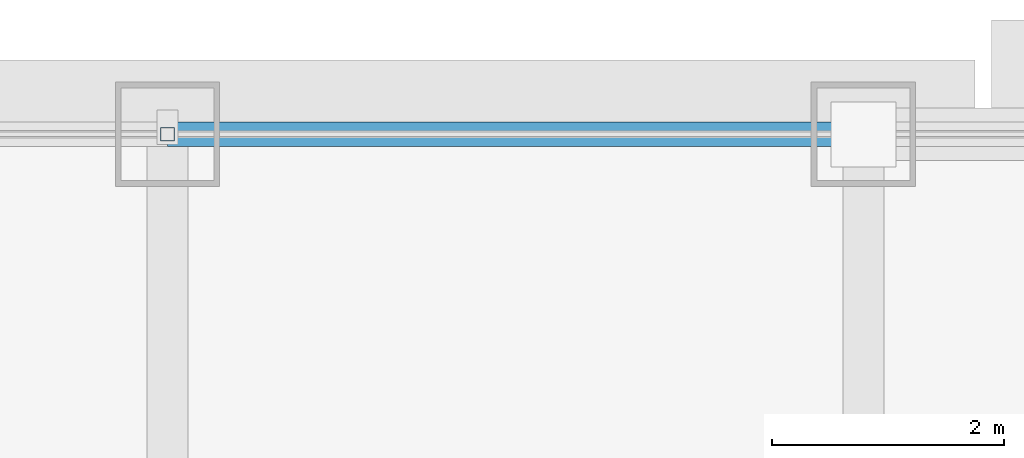
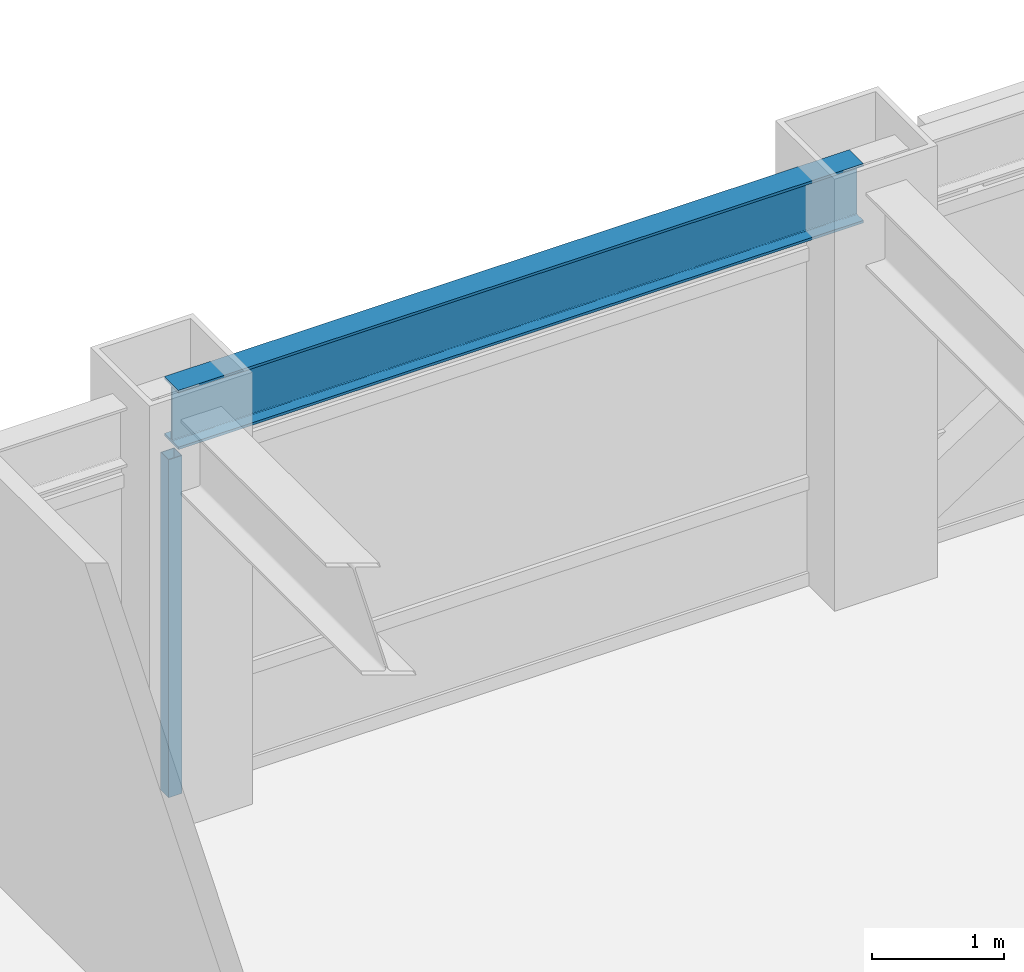
# One storey, part 14 of 27: 1 beam, 1 member, 1 element without a shape of its own.
"""IFC4 building model written with IfcOpenShell, lengths in metres."""

from ifc_helpers import new_model, si_unit, direction, frame, origin, origin_2d, place, context, subcontext, project, spatial, hollow_rectangle, i_section, extrude, source, transform, mapped, material, material_profile, profile_set, type_object, element, aggregate, save


model = new_model("IFC4")

# Units and contexts
model_context = context("Model", 3, precision=1e-05, world=origin(), true_north=direction((0.0, 1.0)))
body_context = subcontext(model_context, "Body", "Model", "MODEL_VIEW")
ifc_project = project(units=[si_unit("LENGTHUNIT", "METRE"), si_unit("AREAUNIT", "SQUARE_METRE"), si_unit("VOLUMEUNIT", "CUBIC_METRE"), si_unit("PLANEANGLEUNIT", "RADIAN"), si_unit("MASSUNIT", "GRAM", prefix="KILO")], contexts=[model_context])

# Site, building, storey
site_placement = place(None, origin())
site = spatial("IfcSite", under=ifc_project, at=site_placement, CompositionType="ELEMENT")
building_placement = place(site_placement, origin())
building = spatial("IfcBuilding", under=site, at=building_placement, Name="Khorayat Bourse Tower", CompositionType="ELEMENT")
storey_placement = place(building_placement, frame((0.0, 0.0, 313.5)))
storey = spatial("IfcBuildingStorey", under=building, at=storey_placement, Name="L74", CompositionType="ELEMENT", Elevation=313.5)

# Beam
ifc_material_1 = material(Name="Steel ASTM A992 Grade 50", Category="steel")
ifc_material_profile_1 = material_profile(ifc_material_1, i_section(OverallWidth=0.214111328125, OverallDepth=0.549072265625, WebThickness=0.0146484375, FlangeThickness=0.023681640625, FilletRadius=0.013916015625, at=origin_2d()), Name="W530X138")
ifc_profile_set_1 = profile_set([ifc_material_profile_1], Name="Steel ASTM A992 Grade 50")
beam_type = type_object("IfcBeamType", Name="BM-SPAN-530", PredefinedType="SPANDREL", material=ifc_profile_set_1)
shared_shape_1 = source(origin(), body_context, "Body", "SweptSolid", [
    extrude(i_section(OverallWidth=0.214111328125, OverallDepth=0.549072265625, WebThickness=0.0146484375, FlangeThickness=0.023681640625, FilletRadius=0.013916015625, at=origin_2d()), origin(), (0.0, 0.0, 1.0), 6.0),
])
beam_placement = place(storey_placement, frame((0.0, 28.0, 3.505615234375), z_axis=(1.0, 0.0, 0.0), x_axis=(0.0, 1.0, 0.0)))
element("IfcBeam", 1, at=beam_placement, inside=storey, type_object=beam_type, Name="L74 BM-SPAN-530 BM-L74-SPN-047", PredefinedType="SPANDREL", context=body_context, shape_type="MappedRepresentation", body=[
    mapped(shared_shape_1, transform((0.0, 0.0, 0.0), scale=1.0)),
])

# Curtain wall, member
ifc_material_2 = material(Name="Aluminium EN AW-6063 T6", Category="aluminium")
curtain_wall_type = type_object("IfcCurtainWallType", Name="CW-SYS-04", PredefinedType="NOTDEFINED", material=ifc_material_2)
curtain_wall_placement = place(storey_placement, origin())
curtain_wall = element("IfcCurtainWall", 2, at=curtain_wall_placement, inside=storey, type_object=curtain_wall_type, Name="L74 Curtain Wall CW-L74-N1", PredefinedType="NOTDEFINED")
ifc_material_profile_2 = material_profile(ifc_material_2, hollow_rectangle(XDim=0.1201171875, YDim=0.1201171875, WallThickness=0.0048828125, at=origin_2d()), Name="ALU 120x120x5")
ifc_profile_set_2 = profile_set([ifc_material_profile_2], Name="Aluminium EN AW-6063 T6")
member_type = type_object("IfcMemberType", Name="CWM-VERT-120", PredefinedType="MULLION", material=ifc_profile_set_2)
shared_shape_2 = source(origin(), body_context, "Body", "SweptSolid", [
    extrude(hollow_rectangle(XDim=0.1201171875, YDim=0.1201171875, WallThickness=0.0048828125, at=origin_2d()), origin(), (0.0, 0.0, 1.0), 3.1298828125),
])
member_placement = place(storey_placement, frame((0.0, 28.0, 0.0), z_axis=(0.0, 0.0, 1.0), x_axis=(0.0, 1.0, 0.0)))
member = element("IfcMember", 3, at=member_placement, type_object=member_type, Name="CW-L74-N1 Vertical Mullion 2", PredefinedType="MULLION", context=body_context, shape_type="MappedRepresentation", body=[
    mapped(shared_shape_2, transform((0.0, 0.0, 0.0), scale=1.0)),
])
aggregate(curtain_wall, [member])

save(model, "model.ifc")
